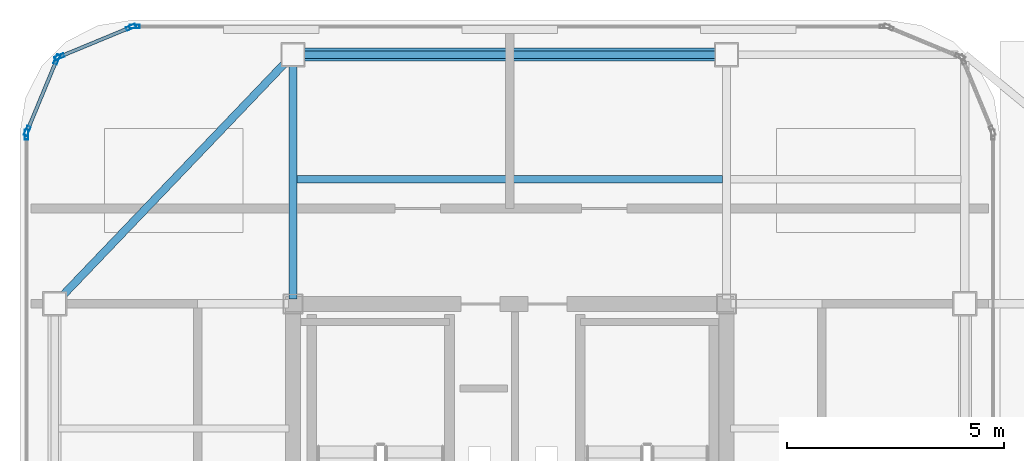
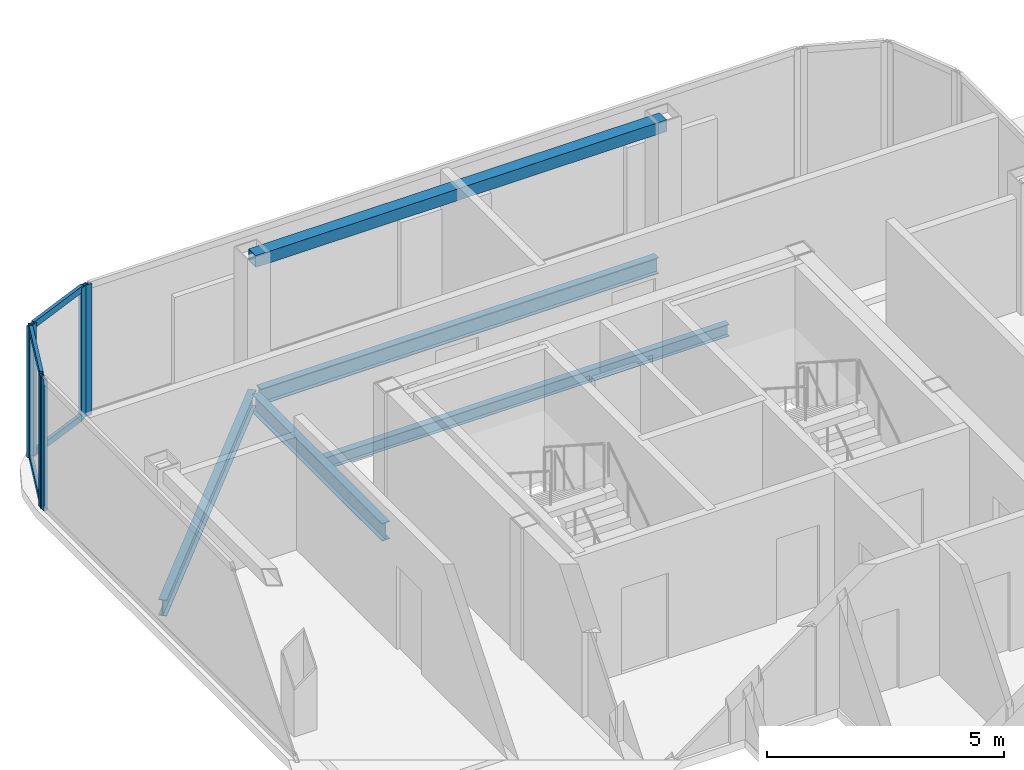
# One storey, part 6 of 11: 11 members, 4 beams, 4 elements without a shape of their own.
"""IFC4 building model written with IfcOpenShell, lengths in metres."""

from ifc_helpers import new_model, si_unit, direction, frame, origin, origin_2d, place, context, subcontext, project, spatial, hollow_rectangle, i_section, extrude, source, transform, mapped, material, layer, layer_set, material_profile, profile_set, type_object, element, aggregate, save


model = new_model("IFC4")

# Units and contexts
model_context = context("Model", 3, precision=1e-05, world=origin(), true_north=direction((0.0, 1.0)))
body_context = subcontext(model_context, "Body", "Model", "MODEL_VIEW")
ifc_project = project(units=[si_unit("LENGTHUNIT", "METRE"), si_unit("AREAUNIT", "SQUARE_METRE"), si_unit("VOLUMEUNIT", "CUBIC_METRE"), si_unit("PLANEANGLEUNIT", "RADIAN"), si_unit("MASSUNIT", "GRAM", prefix="KILO")], contexts=[model_context])

# Site, building, storey
site_placement = place(None, origin())
site = spatial("IfcSite", under=ifc_project, at=site_placement, CompositionType="ELEMENT")
building_placement = place(site_placement, origin())
building = spatial("IfcBuilding", under=site, at=building_placement, Name="Kolveth Station Tower", CompositionType="ELEMENT")
storey_placement = place(building_placement, frame((0.0, 0.0, 285.699951171875)))
storey = spatial("IfcBuildingStorey", under=building, at=storey_placement, Name="L82", CompositionType="ELEMENT", Elevation=285.699951171875)

# Beams
ifc_material_1 = material(Name="Steel S355", Category="steel")
ifc_material_profile_1 = material_profile(ifc_material_1, i_section(OverallWidth=0.180908203125, OverallDepth=0.4169921875, WebThickness=0.010986328125, FlangeThickness=0.018310546875, at=origin_2d()), Name="W410x85")
ifc_profile_set_1 = profile_set([ifc_material_profile_1], Name="Steel S355")
beam_type_1 = type_object("IfcBeamType", Name="Beam_B8", PredefinedType="BEAM", material=ifc_profile_set_1)
shared_shape_1 = source(origin(), body_context, "Body", "SweptSolid", [
    extrude(i_section(OverallWidth=0.180908203125, OverallDepth=0.4169921875, WebThickness=0.010986328125, FlangeThickness=0.018310546875, at=origin_2d()), origin(), (0.0, 0.0, 1.0), 9.68017578125),
])
beam_1_placement = place(storey_placement, frame((18.659912109375, 34.5, -0.428466796875), z_axis=(1.0, 0.0, 0.0), x_axis=(0.0, 1.0, 0.0)))
element("IfcBeam", 1, at=beam_1_placement, inside=storey, type_object=beam_type_1, Name="L82 Perimeter Spandrel BM-L82-PN-1", PredefinedType="BEAM", context=body_context, shape_type="MappedRepresentation", body=[
    mapped(shared_shape_1, transform((0.0, 0.0, 0.0), x_axis=(1.0, 0.0, 0.0), y_axis=(0.0, 1.0, 0.0), z_axis=(0.0, 0.0, 1.0), scale=1.0)),
])
ifc_material_profile_2 = material_profile(ifc_material_1, i_section(OverallWidth=0.19091796875, OverallDepth=0.4599609375, WebThickness=0.010009765625, FlangeThickness=0.01611328125, at=origin_2d()), Name="W460x82")
ifc_profile_set_2 = profile_set([ifc_material_profile_2], Name="Steel S355")
beam_type_2 = type_object("IfcBeamType", Name="Beam_B7", PredefinedType="BEAM", material=ifc_profile_set_2)
shared_shape_2 = source(origin(), body_context, "Body", "SweptSolid", [
    extrude(i_section(OverallWidth=0.19091796875, OverallDepth=0.4599609375, WebThickness=0.010009765625, FlangeThickness=0.01611328125, at=origin_2d()), origin(), (0.0, 0.0, 1.0), 5.47998046875),
])
beam_2_placement = place(storey_placement, frame((18.5, 28.860107421875, -0.449951171875), z_axis=(0.0, 1.0, 0.0), x_axis=(-1.0, 0.0, 0.0)))
element("IfcBeam", 2, at=beam_2_placement, inside=storey, type_object=beam_type_2, Name="L82 Primary Girder BM-L82-GX185-5", PredefinedType="BEAM", context=body_context, shape_type="MappedRepresentation", body=[
    mapped(shared_shape_2, transform((0.0, 0.0, 0.0), x_axis=(1.0, 0.0, 0.0), y_axis=(0.0, 1.0, 0.0), z_axis=(0.0, 0.0, 1.0), scale=1.0)),
])
ifc_material_profile_3 = material_profile(ifc_material_1, i_section(OverallWidth=0.1650390625, OverallDepth=0.31005859375, WebThickness=0.005859375, FlangeThickness=0.009765625, at=origin_2d()), Name="W310x39")
ifc_profile_set_3 = profile_set([ifc_material_profile_3], Name="Steel S355")
beam_type_3 = type_object("IfcBeamType", Name="Beam_J3", PredefinedType="JOIST", material=ifc_profile_set_3)
shared_shape_3 = source(origin(), body_context, "Body", "SweptSolid", [
    extrude(i_section(OverallWidth=0.1650390625, OverallDepth=0.31005859375, WebThickness=0.005859375, FlangeThickness=0.009765625, at=origin_2d()), origin(), (0.0, 0.0, 1.0), 9.81298828125),
])
beam_3_placement = place(storey_placement, frame((18.593505859375, 31.625, -0.375), z_axis=(1.0, 0.0, 0.0), x_axis=(0.0, 1.0, 0.0)))
element("IfcBeam", 3, at=beam_3_placement, inside=storey, type_object=beam_type_3, Name="L82 Secondary Joist JST-L82-2-5", PredefinedType="JOIST", context=body_context, shape_type="MappedRepresentation", body=[
    mapped(shared_shape_3, transform((0.0, 0.0, 0.0), x_axis=(1.0, 0.0, 0.0), y_axis=(0.0, 1.0, 0.0), z_axis=(0.0, 0.0, 1.0), scale=1.0)),
])
shared_shape_4 = source(origin(), body_context, "Body", "SweptSolid", [
    extrude(i_section(OverallWidth=0.180908203125, OverallDepth=0.4169921875, WebThickness=0.010986328125, FlangeThickness=0.018310546875, at=origin_2d()), origin(), (0.0, 0.0, 1.0), 7.95703125),
])
beam_4_placement = place(storey_placement, frame((18.5, 34.5, -0.428466796875), z_axis=(-0.691222645967, -0.722641857148, 0.0), x_axis=(0.722641857148, -0.691222645967, 0.0)))
element("IfcBeam", 4, at=beam_4_placement, inside=storey, type_object=beam_type_1, Name="L82 Corner Edge Girder BM-L82-CNR-NW", PredefinedType="BEAM", context=body_context, shape_type="MappedRepresentation", body=[
    mapped(shared_shape_4, transform((0.0, 0.0, 0.0), x_axis=(1.0, 0.0, 0.0), y_axis=(0.0, 1.0, 0.0), z_axis=(0.0, 0.0, 1.0), scale=1.0)),
])

# Member
ifc_material_profile_4 = material_profile(ifc_material_1, hollow_rectangle(XDim=0.300048828125, YDim=0.300048828125, WallThickness=0.01611328125, at=origin_2d()), Name="CROWN-HSS300x300x16")
ifc_profile_set_4 = profile_set([ifc_material_profile_4], Name="Steel S355")
member_type_1 = type_object("IfcMemberType", Name="Mem_CF1", PredefinedType="CHORD", material=ifc_profile_set_4)
shared_shape_5 = source(origin(), body_context, "Body", "SweptSolid", [
    extrude(hollow_rectangle(XDim=0.300048828125, YDim=0.300048828125, WallThickness=0.01611328125, at=origin_2d()), origin(), (0.0, 0.0, 1.0), 10.0),
])
member_1_placement = place(storey_placement, frame((18.5, 34.5, 3.150146484375), z_axis=(1.0, 0.0, 0.0), x_axis=(0.0, 1.0, 0.0)))
element("IfcMember", 5, at=member_1_placement, inside=storey, type_object=member_type_1, Name="L82 Crown Frame Ring Chord 2", PredefinedType="CHORD", context=body_context, shape_type="MappedRepresentation", body=[
    mapped(shared_shape_5, transform((0.0, 0.0, 0.0), x_axis=(1.0, 0.0, 0.0), y_axis=(0.0, 1.0, 0.0), z_axis=(0.0, 0.0, 1.0), scale=1.0)),
])

# Curtain wall, member
ifc_material_2 = material(Name="Black anodized aluminium 6063-T6 and dark crown glass", Category="aluminium")
ifc_layer = layer(ifc_material_2, 0.169921875)
ifc_layer_set = layer_set([ifc_layer], Name="Black anodized aluminium 6063-T6 and dark crown glass")
curtain_wall_type = type_object("IfcCurtainWallType", Name="CurtainWall_CW-CR", PredefinedType="NOTDEFINED", material=ifc_layer_set)
curtain_wall_1_placement = place(storey_placement, origin())
curtain_wall_1 = element("IfcCurtainWall", 6, at=curtain_wall_1_placement, inside=storey, type_object=curtain_wall_type, Name="L82 Stepped Crown Curtain Wall 6", PredefinedType="NOTDEFINED")
ifc_material_3 = material(Name="Black anodized aluminium 6063-T6", Category="aluminium")
ifc_material_profile_5 = material_profile(ifc_material_3, hollow_rectangle(XDim=0.0849609375, YDim=0.22998046875, WallThickness=0.0048828125, at=origin_2d()), Name="ALU-85x230x5")
ifc_profile_set_5 = profile_set([ifc_material_profile_5], Name="Black anodized aluminium 6063-T6")
member_type_2 = type_object("IfcMemberType", Name="Mullion_ML-CR", PredefinedType="MULLION", material=ifc_profile_set_5)
shared_shape_6 = source(origin(), body_context, "Body", "SweptSolid", [
    extrude(hollow_rectangle(XDim=0.0849609375, YDim=0.22998046875, WallThickness=0.0048828125, at=origin_2d()), origin(), (0.0, 0.0, 1.0), 3.380126953125),
])
member_2_placement = place(storey_placement, frame((14.842529296875, 35.14990234375, 0.0), z_axis=(0.0, 0.0, 1.0), x_axis=(0.0, -1.0, 0.0)))
member_2 = element("IfcMember", 7, at=member_2_placement, type_object=member_type_2, Name="CW-CR mullion 2", PredefinedType="MULLION", context=body_context, shape_type="MappedRepresentation", body=[
    mapped(shared_shape_6, transform((0.0, 0.0, 0.0), x_axis=(1.0, 0.0, 0.0), y_axis=(0.0, 1.0, 0.0), z_axis=(0.0, 0.0, 1.0), scale=1.0)),
])
aggregate(curtain_wall_1, [member_2])

# Curtain wall, members
curtain_wall_2_placement = place(storey_placement, origin())
curtain_wall_2 = element("IfcCurtainWall", 8, at=curtain_wall_2_placement, inside=storey, type_object=curtain_wall_type, Name="L82 Stepped Crown Curtain Wall 7", PredefinedType="NOTDEFINED")
member_3_placement = place(storey_placement, frame((14.7607421875, 35.1337890625, 0.0), z_axis=(0.0, 0.0, 1.0), x_axis=(0.382690908701, -0.923876435676, 0.0)))
member_3 = element("IfcMember", 9, at=member_3_placement, type_object=member_type_2, Name="CW-CR mullion 1", PredefinedType="MULLION", context=body_context, shape_type="MappedRepresentation", body=[
    mapped(shared_shape_6, transform((0.0, 0.0, 0.0), x_axis=(1.0, 0.0, 0.0), y_axis=(0.0, 1.0, 0.0), z_axis=(0.0, 0.0, 1.0), scale=1.0)),
])
member_4_placement = place(storey_placement, frame((13.10693359375, 34.44873046875, 0.0), z_axis=(0.0, 0.0, 1.0), x_axis=(0.382690908701, -0.923876435676, 0.0)))
member_4 = element("IfcMember", 10, at=member_4_placement, type_object=member_type_2, Name="CW-CR mullion 2", PredefinedType="MULLION", context=body_context, shape_type="MappedRepresentation", body=[
    mapped(shared_shape_6, transform((0.0, 0.0, 0.0), x_axis=(1.0, 0.0, 0.0), y_axis=(0.0, 1.0, 0.0), z_axis=(0.0, 0.0, 1.0), scale=1.0)),
])

curtain_wall_3_placement = place(storey_placement, origin())
curtain_wall_3 = element("IfcCurtainWall", 11, at=curtain_wall_3_placement, inside=storey, type_object=curtain_wall_type, Name="L82 Stepped Crown Curtain Wall 8", PredefinedType="NOTDEFINED")
member_5_placement = place(storey_placement, frame((13.05126953125, 34.39306640625, 0.0), z_axis=(0.0, 0.0, 1.0), x_axis=(0.923876435676, -0.382690908701, 0.0)))
member_5 = element("IfcMember", 12, at=member_5_placement, type_object=member_type_2, Name="CW-CR mullion 1", PredefinedType="MULLION", context=body_context, shape_type="MappedRepresentation", body=[
    mapped(shared_shape_6, transform((0.0, 0.0, 0.0), x_axis=(1.0, 0.0, 0.0), y_axis=(0.0, 1.0, 0.0), z_axis=(0.0, 0.0, 1.0), scale=1.0)),
])
member_6_placement = place(storey_placement, frame((12.3662109375, 32.7392578125, 0.0), z_axis=(0.0, 0.0, 1.0), x_axis=(0.923876435676, -0.382690908701, 0.0)))
member_6 = element("IfcMember", 13, at=member_6_placement, type_object=member_type_2, Name="CW-CR mullion 2", PredefinedType="MULLION", context=body_context, shape_type="MappedRepresentation", body=[
    mapped(shared_shape_6, transform((0.0, 0.0, 0.0), x_axis=(1.0, 0.0, 0.0), y_axis=(0.0, 1.0, 0.0), z_axis=(0.0, 0.0, 1.0), scale=1.0)),
])

# Curtain wall, member
curtain_wall_4_placement = place(storey_placement, origin())
curtain_wall_4 = element("IfcCurtainWall", 14, at=curtain_wall_4_placement, inside=storey, type_object=curtain_wall_type, Name="L82 Stepped Crown Curtain Wall 9", PredefinedType="NOTDEFINED")
member_7_placement = place(storey_placement, frame((12.35009765625, 32.657470703125, 0.0), z_axis=(0.0, 0.0, 1.0), x_axis=(1.0, 0.0, 0.0)))
member_7 = element("IfcMember", 15, at=member_7_placement, type_object=member_type_2, Name="CW-CR mullion 1", PredefinedType="MULLION", context=body_context, shape_type="MappedRepresentation", body=[
    mapped(shared_shape_6, transform((0.0, 0.0, 0.0), x_axis=(1.0, 0.0, 0.0), y_axis=(0.0, 1.0, 0.0), z_axis=(0.0, 0.0, 1.0), scale=1.0)),
])
aggregate(curtain_wall_4, [member_7])

# Member
ifc_material_profile_6 = material_profile(ifc_material_3, hollow_rectangle(XDim=0.080078125, YDim=0.1650390625, WallThickness=0.0048828125, at=origin_2d()), Name="ALU-80x165x5")
ifc_profile_set_6 = profile_set([ifc_material_profile_6], Name="Black anodized aluminium 6063-T6")
member_type_3 = type_object("IfcMemberType", Name="Transom_TR-CR", PredefinedType="USERDEFINED", material=ifc_profile_set_6)
shared_shape_7 = source(origin(), body_context, "Body", "SweptSolid", [
    extrude(hollow_rectangle(XDim=0.080078125, YDim=0.1650390625, WallThickness=0.0048828125, at=origin_2d()), origin(), (0.0, 0.0, 1.0), 1.705078125),
])
member_8_placement = place(storey_placement, frame((14.721435546875, 35.117431640625, 0.0400390625), z_axis=(-0.923854516996, -0.38274381958, 0.0), x_axis=(0.38274381958, -0.923854516996, 0.0)))
member_8 = element("IfcMember", 16, at=member_8_placement, type_object=member_type_3, Name="CW-CR transom 1.1", ObjectType="TRANSOM", PredefinedType="USERDEFINED", context=body_context, shape_type="MappedRepresentation", body=[
    mapped(shared_shape_7, transform((0.0, 0.0, 0.0), x_axis=(1.0, 0.0, 0.0), y_axis=(0.0, 1.0, 0.0), z_axis=(0.0, 0.0, 1.0), scale=1.0)),
])

member_9_placement = place(storey_placement, frame((14.721435546875, 35.117431640625, 3.340087890625), z_axis=(-0.923854516996, -0.38274381958, 0.0), x_axis=(0.38274381958, -0.923854516996, 0.0)))
member_9 = element("IfcMember", 17, at=member_9_placement, type_object=member_type_3, Name="CW-CR transom 1.2", ObjectType="TRANSOM", PredefinedType="USERDEFINED", context=body_context, shape_type="MappedRepresentation", body=[
    mapped(shared_shape_7, transform((0.0, 0.0, 0.0), x_axis=(1.0, 0.0, 0.0), y_axis=(0.0, 1.0, 0.0), z_axis=(0.0, 0.0, 1.0), scale=1.0)),
])

aggregate(curtain_wall_2, [member_3, member_4, member_8, member_9])

member_10_placement = place(storey_placement, frame((13.03515625, 34.353759765625, 0.0400390625), z_axis=(-0.38274381958, -0.923854516996, 0.0), x_axis=(0.923854516996, -0.38274381958, 0.0)))
member_10 = element("IfcMember", 18, at=member_10_placement, type_object=member_type_3, Name="CW-CR transom 1.1", ObjectType="TRANSOM", PredefinedType="USERDEFINED", context=body_context, shape_type="MappedRepresentation", body=[
    mapped(shared_shape_7, transform((0.0, 0.0, 0.0), x_axis=(1.0, 0.0, 0.0), y_axis=(0.0, 1.0, 0.0), z_axis=(0.0, 0.0, 1.0), scale=1.0)),
])

member_11_placement = place(storey_placement, frame((13.03515625, 34.353759765625, 3.340087890625), z_axis=(-0.38274381958, -0.923854516996, 0.0), x_axis=(0.923854516996, -0.38274381958, 0.0)))
member_11 = element("IfcMember", 19, at=member_11_placement, type_object=member_type_3, Name="CW-CR transom 1.2", ObjectType="TRANSOM", PredefinedType="USERDEFINED", context=body_context, shape_type="MappedRepresentation", body=[
    mapped(shared_shape_7, transform((0.0, 0.0, 0.0), x_axis=(1.0, 0.0, 0.0), y_axis=(0.0, 1.0, 0.0), z_axis=(0.0, 0.0, 1.0), scale=1.0)),
])

aggregate(curtain_wall_3, [member_5, member_6, member_10, member_11])

save(model, "model.ifc")
